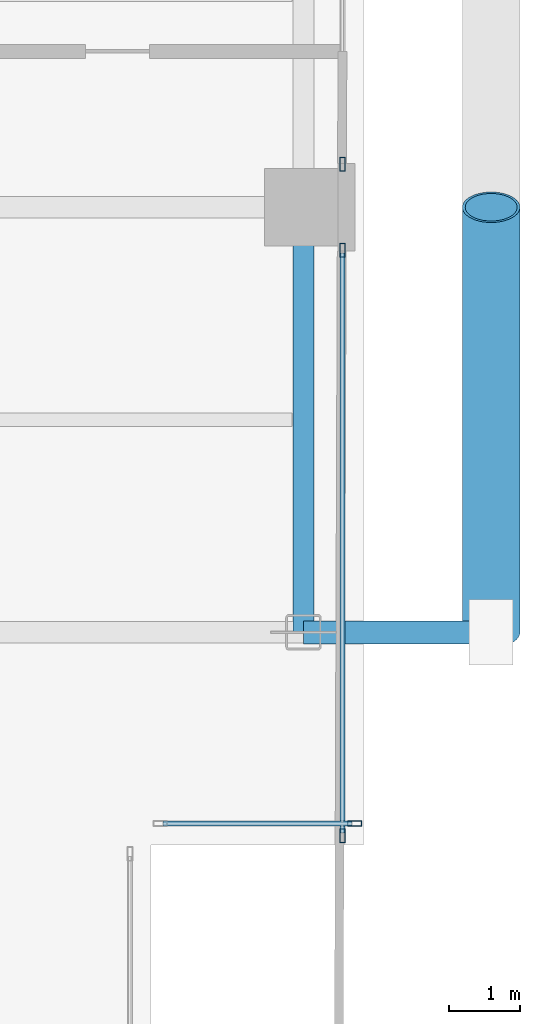
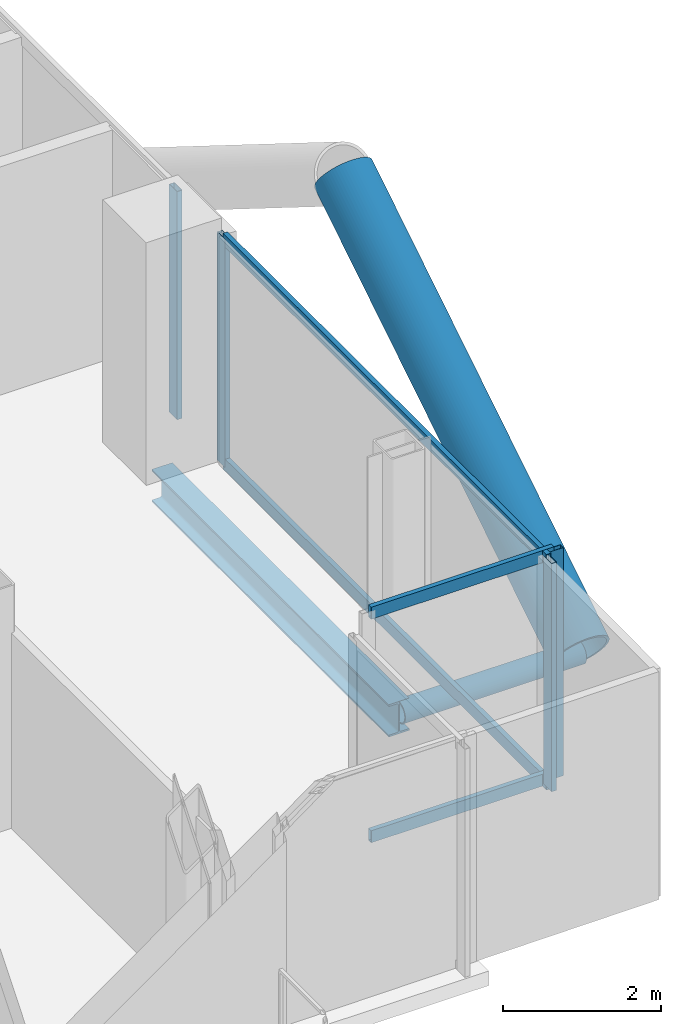
# One storey, part 12 of 28: 10 members, 1 beam, 3 elements without a shape of their own.
"""IFC4 building model written with IfcOpenShell, lengths in metres."""

from ifc_helpers import new_model, si_unit, direction, frame, origin, origin_2d, place, context, subcontext, project, spatial, hollow_rectangle, hollow_circle, i_section, extrude, material, layer, layer_set, material_profile, profile_set, type_object, element, aggregate, save


model = new_model("IFC4")

# Units and contexts
model_context = context("Model", 3, precision=1e-05, world=origin(), true_north=direction((0.0, 1.0)))
body_context = subcontext(model_context, "Body", "Model", "MODEL_VIEW")
ifc_project = project(units=[si_unit("LENGTHUNIT", "METRE"), si_unit("AREAUNIT", "SQUARE_METRE"), si_unit("VOLUMEUNIT", "CUBIC_METRE"), si_unit("PLANEANGLEUNIT", "RADIAN"), si_unit("MASSUNIT", "GRAM", prefix="KILO"), si_unit("THERMODYNAMICTEMPERATUREUNIT", "KELVIN"), si_unit("POWERUNIT", "WATT")], contexts=[model_context])

# Site, building, storey
site_placement = place(None, origin())
site = spatial("IfcSite", under=ifc_project, at=site_placement, CompositionType="ELEMENT")
building_placement = place(site_placement, origin())
building = spatial("IfcBuilding", under=site, at=building_placement, Name="Svarakhadi Broadcast Tower", CompositionType="ELEMENT")
storey_placement = place(building_placement, frame((0.0, 0.0, 149.39990234375)))
storey = spatial("IfcBuildingStorey", under=building, at=storey_placement, Name="L36", CompositionType="ELEMENT", Elevation=149.39990234375)

# Curtain wall, member
ifc_material_1 = material(Name="Anodised Bronze Aluminium AA 6063-T6", Category="aluminium")
ifc_layer = layer(ifc_material_1, 0.199951171875)
ifc_layer_set = layer_set([ifc_layer], Name="Anodised Bronze Aluminium AA 6063-T6")
curtain_wall_type = type_object("IfcCurtainWallType", Name="CW_Sys_03", PredefinedType="NOTDEFINED", material=ifc_layer_set)
curtain_wall_1_placement = place(storey_placement, origin())
curtain_wall_1 = element("IfcCurtainWall", 1, at=curtain_wall_1_placement, inside=storey, type_object=curtain_wall_type, Name="L36 Unitised Facade Curtain Wall 13 Bay 1", PredefinedType="NOTDEFINED")
ifc_material_profile_1 = material_profile(ifc_material_1, hollow_rectangle(XDim=0.074951171875, YDim=0.199951171875, WallThickness=0.005615234375, at=origin_2d()), Name="ALU MULLION 200x75x6")
ifc_profile_set_1 = profile_set([ifc_material_profile_1], Name="Anodised Bronze Aluminium AA 6063-T6")
member_type_1 = type_object("IfcMemberType", Name="CW_Sys_03_Mul", PredefinedType="MULLION", material=ifc_profile_set_1)
member_1_placement = place(storey_placement, frame((47.699951171875, 12.607421875, 0.0), z_axis=(0.0, 0.0, 1.0), x_axis=(1.0, 0.0, 0.0)))
member_1 = element("IfcMember", 2, at=member_1_placement, type_object=member_type_1, Name="CW-03 mullion 2", PredefinedType="MULLION", context=body_context, shape_type="SweptSolid", body=[
    extrude(hollow_rectangle(XDim=0.074951171875, YDim=0.199951171875, WallThickness=0.005615234375, at=origin_2d()), origin(), (0.0, 0.0, 1.0), 3.525146484375),
])
aggregate(curtain_wall_1, [member_1])

# Curtain wall, members
curtain_wall_2_placement = place(storey_placement, origin())
curtain_wall_2 = element("IfcCurtainWall", 3, at=curtain_wall_2_placement, inside=storey, type_object=curtain_wall_type, Name="L36 Unitised Facade Curtain Wall 13 Bay 2", PredefinedType="NOTDEFINED")
member_2_placement = place(storey_placement, frame((47.699951171875, 11.392578125, 0.0), z_axis=(0.0, 0.0, 1.0), x_axis=(1.0, 0.0, 0.0)))
member_2 = element("IfcMember", 4, at=member_2_placement, type_object=member_type_1, Name="CW-03 mullion 1", PredefinedType="MULLION", context=body_context, shape_type="SweptSolid", body=[
    extrude(hollow_rectangle(XDim=0.074951171875, YDim=0.199951171875, WallThickness=0.005615234375, at=origin_2d()), origin(), (0.0, 0.0, 1.0), 3.525146484375),
])
member_3_placement = place(storey_placement, frame((47.699951171875, 3.12744140625, 0.0), z_axis=(0.0, 0.0, 1.0), x_axis=(1.0, 0.0, 0.0)))
member_3 = element("IfcMember", 5, at=member_3_placement, type_object=member_type_1, Name="CW-03 mullion 2", PredefinedType="MULLION", context=body_context, shape_type="SweptSolid", body=[
    extrude(hollow_rectangle(XDim=0.074951171875, YDim=0.199951171875, WallThickness=0.005615234375, at=origin_2d()), origin(), (0.0, 0.0, 1.0), 3.525146484375),
])

# Curtain wall, member
curtain_wall_3_placement = place(storey_placement, origin())
curtain_wall_3 = element("IfcCurtainWall", 6, at=curtain_wall_3_placement, inside=storey, type_object=curtain_wall_type, Name="L36 Unitised Facade Curtain Wall 14", PredefinedType="NOTDEFINED")
member_4_placement = place(storey_placement, frame((47.87255859375, 3.300048828125, 0.0), z_axis=(0.0, 0.0, 1.0), x_axis=(0.0, -1.0, 0.0)))
member_4 = element("IfcMember", 7, at=member_4_placement, type_object=member_type_1, Name="CW-03 mullion 1", PredefinedType="MULLION", context=body_context, shape_type="SweptSolid", body=[
    extrude(hollow_rectangle(XDim=0.074951171875, YDim=0.199951171875, WallThickness=0.005615234375, at=origin_2d()), origin(), (0.0, 0.0, 1.0), 3.525146484375),
])

# Member
ifc_material_profile_2 = material_profile(ifc_material_1, hollow_rectangle(XDim=0.070068359375, YDim=0.18505859375, WallThickness=0.0048828125, at=origin_2d()), Name="ALU TRANSOM 185x70x5")
ifc_profile_set_2 = profile_set([ifc_material_profile_2], Name="Anodised Bronze Aluminium AA 6063-T6")
member_type_2 = type_object("IfcMemberType", Name="CW_Sys_03_Trn", PredefinedType="USERDEFINED", material=ifc_profile_set_2)
member_5_placement = place(storey_placement, frame((47.699951171875, 11.35498046875, 0.03515625), z_axis=(0.0, -1.0, 0.0), x_axis=(1.0, 0.0, 0.0)))
member_5 = element("IfcMember", 8, at=member_5_placement, type_object=member_type_2, Name="CW-03 transom 1.1", ObjectType="TRANSOM", PredefinedType="USERDEFINED", context=body_context, shape_type="SweptSolid", body=[
    extrude(hollow_rectangle(XDim=0.070068359375, YDim=0.18505859375, WallThickness=0.0048828125, at=origin_2d()), origin(), (0.0, 0.0, 1.0), 8.18994140625),
])

member_6_placement = place(storey_placement, frame((47.699951171875, 11.35498046875, 3.489990234375), z_axis=(0.0, -1.0, 0.0), x_axis=(1.0, 0.0, 0.0)))
member_6 = element("IfcMember", 9, at=member_6_placement, type_object=member_type_2, Name="CW-03 transom 1.2", ObjectType="TRANSOM", PredefinedType="USERDEFINED", context=body_context, shape_type="SweptSolid", body=[
    extrude(hollow_rectangle(XDim=0.070068359375, YDim=0.18505859375, WallThickness=0.0048828125, at=origin_2d()), origin(), (0.0, 0.0, 1.0), 8.18994140625),
])

aggregate(curtain_wall_2, [member_2, member_3, member_5, member_6])

member_7_placement = place(storey_placement, frame((47.8349609375, 3.300048828125, 0.03515625), z_axis=(-1.0, 0.0, 0.0), x_axis=(0.0, -1.0, 0.0)))
member_7 = element("IfcMember", 10, at=member_7_placement, type_object=member_type_2, Name="CW-03 transom 1.1", ObjectType="TRANSOM", PredefinedType="USERDEFINED", context=body_context, shape_type="SweptSolid", body=[
    extrude(hollow_rectangle(XDim=0.070068359375, YDim=0.18505859375, WallThickness=0.0048828125, at=origin_2d()), origin(), (0.0, 0.0, 1.0), 2.669921875),
])

member_8_placement = place(storey_placement, frame((47.8349609375, 3.300048828125, 3.489990234375), z_axis=(-1.0, 0.0, 0.0), x_axis=(0.0, -1.0, 0.0)))
member_8 = element("IfcMember", 11, at=member_8_placement, type_object=member_type_2, Name="CW-03 transom 1.2", ObjectType="TRANSOM", PredefinedType="USERDEFINED", context=body_context, shape_type="SweptSolid", body=[
    extrude(hollow_rectangle(XDim=0.070068359375, YDim=0.18505859375, WallThickness=0.0048828125, at=origin_2d()), origin(), (0.0, 0.0, 1.0), 2.669921875),
])

aggregate(curtain_wall_3, [member_4, member_7, member_8])

# Members
ifc_material_2 = material(Name="Steel S460ML (IS 2062 E450BR)", Category="steel")
ifc_material_profile_3 = material_profile(ifc_material_2, hollow_circle(Radius=0.406494140625, WallThickness=0.0400390625, at=origin_2d()), Name="CHS 813x40")
ifc_profile_set_3 = profile_set([ifc_material_profile_3], Name="Steel S460ML (IS 2062 E450BR)")
member_type_3 = type_object("IfcMemberType", Name="Exo_Brace_CHS813", PredefinedType="BRACE", material=ifc_profile_set_3)
member_9_placement = place(storey_placement, frame((49.800048828125, 6.0, -0.386962890625), z_axis=(0.0, 0.847998304005, 0.529998940003), x_axis=(-1.0, 0.0, 0.0)))
element("IfcMember", 12, at=member_9_placement, inside=storey, type_object=member_type_3, Name="L36 Exposed Bronze Exoskeleton Diagonal E08", PredefinedType="BRACE", context=body_context, shape_type="SweptSolid", body=[
    extrude(hollow_circle(Radius=0.406494140625, WallThickness=0.0400390625, at=origin_2d()), origin(), (0.0, 0.0, 1.0), 7.075439453125),
])
ifc_material_profile_4 = material_profile(ifc_material_2, hollow_circle(Radius=0.161865234375, WallThickness=0.01611328125, at=origin_2d()), Name="CHS 323.9x16")
ifc_profile_set_4 = profile_set([ifc_material_profile_4], Name="Steel S460ML (IS 2062 E450BR)")
member_type_4 = type_object("IfcMemberType", Name="Exo_Radial_Strut_Z2", PredefinedType="STRUT", material=ifc_profile_set_4)
member_10_placement = place(storey_placement, frame((49.800048828125, 6.0, -0.386962890625), z_axis=(-1.0, 0.0, 0.0), x_axis=(0.0, -1.0, 0.0)))
element("IfcMember", 13, at=member_10_placement, inside=storey, type_object=member_type_4, Name="L36 Exoskeleton Radial Tie Strut E08", PredefinedType="STRUT", context=body_context, shape_type="SweptSolid", body=[
    extrude(hollow_circle(Radius=0.161865234375, WallThickness=0.01611328125, at=origin_2d()), origin(), (0.0, 0.0, 1.0), 2.650146484375),
])

# Beam
ifc_material_3 = material(Name="Steel S355J2 (IS 2062 E350C)", Category="steel")
ifc_material_profile_5 = material_profile(ifc_material_3, i_section(OverallWidth=0.300048828125, OverallDepth=0.5, WebThickness=0.014404296875, FlangeThickness=0.028076171875, FilletRadius=0.027099609375, at=origin_2d()), Name="WPB 500x300x187")
ifc_profile_set_5 = profile_set([ifc_material_profile_5], Name="Steel S355J2 (IS 2062 E350C)")
beam_type = type_object("IfcBeamType", Name="Girder_WPB500", PredefinedType="USERDEFINED", material=ifc_profile_set_5)
beam_placement = place(storey_placement, frame((47.14990234375, 6.0, -0.474853515625), z_axis=(0.0, 1.0, 0.0), x_axis=(-1.0, 0.0, 0.0)))
element("IfcBeam", 14, at=beam_placement, inside=storey, type_object=beam_type, Name="L36 Primary N-S Girder G073", ObjectType="GIRDER", PredefinedType="USERDEFINED", context=body_context, shape_type="SweptSolid", body=[
    extrude(i_section(OverallWidth=0.300048828125, OverallDepth=0.5, WebThickness=0.014404296875, FlangeThickness=0.028076171875, FilletRadius=0.027099609375, at=origin_2d()), origin(), (0.0, 0.0, 1.0), 6.0),
])

save(model, "model.ifc")
